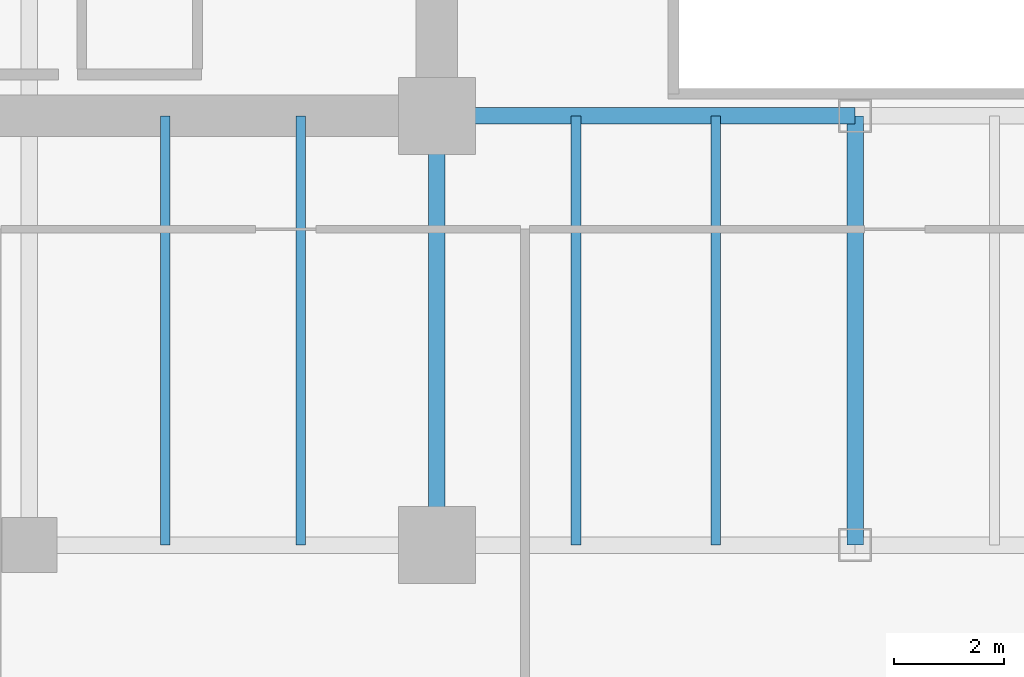
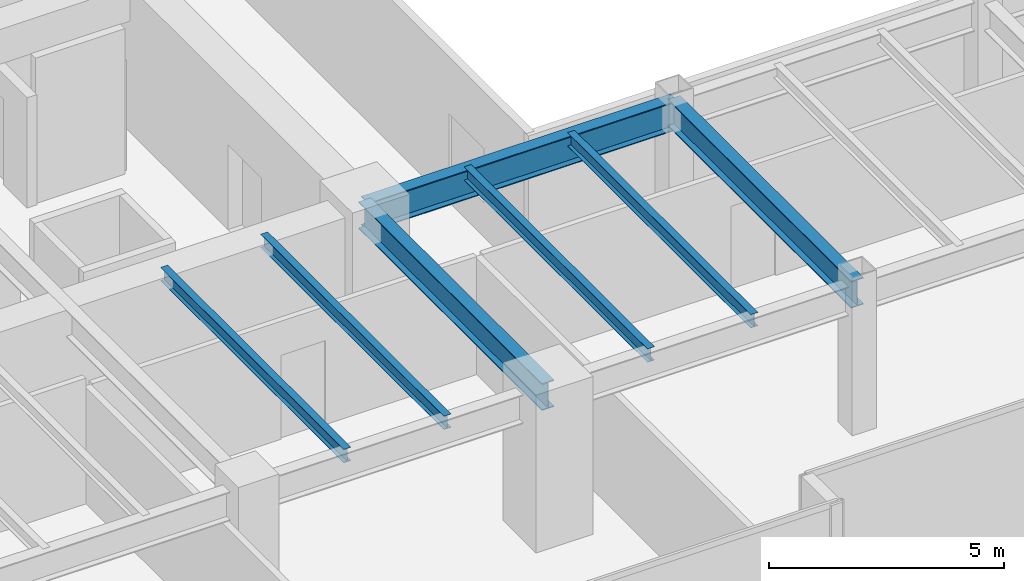
# One storey, part 5 of 35: 7 beams.
"""IFC4 building model written with IfcOpenShell, lengths in metres."""

import ifcopenshell
import ifcopenshell.guid

model = None  # the IFC model being written
_history = None  # IfcOwnerHistory: only IFC2X3 demands one
_inside = {}  # id of a spatial element -> (the spatial element, [elements in it])
_under = {}  # id of a project, library or spatial element -> (it, [spatial elements below it])
_declared = {}  # id of a project -> (the project, [libraries it declares])
_typed = {}  # id of a type object -> (the type object, [elements of that type])
_made_of = {}  # id of a material, layer set ... -> (it, [elements and type objects made of it])


def new_model(schema):
    """Start an empty IFC model of exactly this schema.

    Asked for "IFC4X3", IfcOpenShell would pick the latest addendum, in which some entities
    have other attributes; the version numbers below select the first issue.
    IFC2X3 requires an IfcOwnerHistory on every rooted entity: one is made here for all.
    """
    global model, _history
    if schema == "IFC4X3":
        model = ifcopenshell.file(schema_version=(4, 3, 0, 0))
    else:
        model = ifcopenshell.file(schema=schema)
    _inside.clear()
    _under.clear()
    _declared.clear()
    _typed.clear()
    _made_of.clear()
    _history = None
    if model.schema == "IFC2X3":
        org = make("IfcOrganization", Name="unknown")
        user = make(
            "IfcPersonAndOrganization",
            ThePerson=make("IfcPerson", FamilyName="unknown"),
            TheOrganization=org,
        )
        app = make(
            "IfcApplication",
            ApplicationDeveloper=org,
            Version="unknown",
            ApplicationFullName="unknown",
            ApplicationIdentifier="unknown",
        )
        _history = make(
            "IfcOwnerHistory",
            OwningUser=user,
            OwningApplication=app,
            ChangeAction="ADDED",
            CreationDate=0,
        )
    return model


def make(cls, **values):
    """One entity of the class cls with the attributes given. An attribute that is None is left unset."""
    return model.create_entity(
        cls, **{name: value for name, value in values.items() if value is not None}
    )


def rooted(cls, **values):
    """An entity with a GlobalId (a new one), such as an element, a storey or a relation."""
    return make(cls, GlobalId=ifcopenshell.guid.new(), OwnerHistory=_history, **values)


def si_unit(unit_type, name, prefix=None):
    """IfcSIUnit, for example si_unit("LENGTHUNIT", "METRE", prefix="MILLI")."""
    return make("IfcSIUnit", UnitType=unit_type, Prefix=prefix, Name=name)


def assignment(units):
    """IfcUnitAssignment: the units of a project."""
    return None if units is None else make("IfcUnitAssignment", Units=units)


def point(xyz):
    """IfcCartesianPoint."""
    return None if xyz is None else make("IfcCartesianPoint", Coordinates=xyz)


def direction(xyz):
    """IfcDirection."""
    return None if xyz is None else make("IfcDirection", DirectionRatios=xyz)


def frame(location, z_axis=None, x_axis=None):
    """IfcAxis2Placement3D, a coordinate frame: its origin and axes. An axis left out is left unset."""
    return make(
        "IfcAxis2Placement3D",
        Location=point(location),
        Axis=direction(z_axis),
        RefDirection=direction(x_axis),
    )


def frame_2d(location, x_axis=None):
    """IfcAxis2Placement2D, a coordinate frame in the plane: its origin and x axis."""
    return make(
        "IfcAxis2Placement2D", Location=point(location), RefDirection=direction(x_axis)
    )


def origin():
    """The frame at (0, 0, 0) with its axes left unset."""
    return frame((0.0, 0.0, 0.0))


def origin_2d():
    """The frame at (0, 0) in the plane with its x axis left unset."""
    return frame_2d((0.0, 0.0))


def place(relative_to, where):
    """IfcLocalPlacement: puts the frame where relative to a parent placement (None: the world)."""
    return make(
        "IfcLocalPlacement", PlacementRelTo=relative_to, RelativePlacement=where
    )


def context(
    kind, dimensions, precision=None, world=None, true_north=None, identifier=None
):
    """IfcGeometricRepresentationContext, for example the 3D "Model" context."""
    return make(
        "IfcGeometricRepresentationContext",
        ContextIdentifier=identifier,
        ContextType=kind,
        CoordinateSpaceDimension=dimensions,
        Precision=precision,
        WorldCoordinateSystem=world,
        TrueNorth=true_north,
    )


def subcontext(parent, identifier, kind, view, scale=None):
    """IfcGeometricRepresentationSubContext, for example "Body" below "Model"."""
    return make(
        "IfcGeometricRepresentationSubContext",
        ContextIdentifier=identifier,
        ContextType=kind,
        ParentContext=parent,
        TargetScale=scale,
        TargetView=view,
    )


def project(units=None, contexts=None):
    """IfcProject with its units and contexts."""
    return rooted(
        "IfcProject",
        Name="project",
        RepresentationContexts=contexts,
        UnitsInContext=assignment(units),
    )


def spatial(cls, under=None, at=None, **own):
    """A site, building, storey or space (cls), placed at a placement, below another one or the project."""
    s = rooted(cls, ObjectPlacement=at, **own)
    if under is not None:
        _under.setdefault(under.id(), (under, []))[1].append(s)
    return s


def profile(cls, at=None, kind="AREA", **sizes):
    """A parametric profile (cls). Its sizes go by their IFC names, for example OverallWidth=200.0."""
    return make(cls, ProfileType=kind, Position=at, **sizes)


def i_section(**sizes):
    """IfcIShapeProfileDef."""
    return profile("IfcIShapeProfileDef", **sizes)


def extrude(swept, where, along, depth):
    """IfcExtrudedAreaSolid: the profile swept, set in the frame where, extruded along a direction by depth."""
    return make(
        "IfcExtrudedAreaSolid",
        SweptArea=swept,
        Position=where,
        ExtrudedDirection=direction(along),
        Depth=depth,
    )


def shape(context_of_items, identifier, shape_type, items):
    """IfcShapeRepresentation: the items that make up one representation, for example the "Body"."""
    return make(
        "IfcShapeRepresentation",
        ContextOfItems=context_of_items,
        RepresentationIdentifier=identifier,
        RepresentationType=shape_type,
        Items=items,
    )


def source(mapping_origin, context_of_items, identifier, shape_type, items):
    """IfcRepresentationMap: a shape defined once, which mapped items show again and again."""
    return make(
        "IfcRepresentationMap",
        MappingOrigin=mapping_origin,
        MappedRepresentation=shape(context_of_items, identifier, shape_type, items),
    )


def transform(
    local_origin,
    x_axis=None,
    y_axis=None,
    z_axis=None,
    scale=None,
    scale2=None,
    scale3=None,
    uniform=True,
):
    """IfcCartesianTransformationOperator3D, or its non-uniform kind. x_axis, y_axis, z_axis: its Axis1, 2, 3."""
    if uniform:
        return make(
            "IfcCartesianTransformationOperator3D",
            Axis1=direction(x_axis),
            Axis2=direction(y_axis),
            LocalOrigin=point(local_origin),
            Scale=scale,
            Axis3=direction(z_axis),
        )
    return make(
        "IfcCartesianTransformationOperator3DnonUniform",
        Axis1=direction(x_axis),
        Axis2=direction(y_axis),
        LocalOrigin=point(local_origin),
        Scale=scale,
        Axis3=direction(z_axis),
        Scale2=scale2,
        Scale3=scale3,
    )


def mapped(mapping_source, mapping_target):
    """IfcMappedItem: shows the shape of a source again, moved by a transform."""
    return make(
        "IfcMappedItem", MappingSource=mapping_source, MappingTarget=mapping_target
    )


def material(Name=None, Category=None):
    """IfcMaterial."""
    return make("IfcMaterial", Name=Name, Category=Category)


def material_profile(
    of_material, cross_section, Name=None, Category=None, Priority=None
):
    """IfcMaterialProfile: a cross section and its material."""
    return make(
        "IfcMaterialProfile",
        Name=Name,
        Material=of_material,
        Profile=cross_section,
        Priority=Priority,
        Category=Category,
    )


def profile_set(profiles, Name=None, composite=None):
    """IfcMaterialProfileSet."""
    return make(
        "IfcMaterialProfileSet",
        Name=Name,
        MaterialProfiles=profiles,
        CompositeProfile=composite,
    )


def made_of(thing, what):
    """Note that an element or type object is made of a material, layer set ...; save() writes the relation."""
    if what is not None:
        _made_of.setdefault(what.id(), (what, []))[1].append(thing)
    return thing


def type_object(cls, material=None, **own):
    """A type object (cls), such as IfcWallType, which elements share."""
    return made_of(rooted(cls, **own), material)


def type_shapes(of_type, sources):
    """Give a type object the sources (RepresentationMaps) that its elements show as mapped items."""
    of_type.RepresentationMaps = sources


def element(
    cls,
    number,
    at=None,
    inside=None,
    cuts=None,
    type_object=None,
    material=None,
    context=None,
    identifier="Body",
    shape_type=None,
    held_by="IfcProductDefinitionShape",
    body=None,
    shapes=None,
    **own,
):
    """One element of the class cls, such as IfcWall. Its Tag is "e" and its number.

    at: its placement. inside: the storey or other place that contains it. cuts: it is an
    opening in that element (IfcRelVoidsElement). A single representation is given by context,
    identifier, shape_type and body (its items); several are given by shapes. held_by: the class
    of the entity that holds the representations. save() writes the other relations.
    """
    e = rooted(cls, Tag="e%d" % number, ObjectPlacement=at, **own)
    if body is not None:
        shapes = [shape(context, identifier, shape_type, body)]
    if shapes is not None:
        e.Representation = make(held_by, Representations=shapes)
    if inside is not None:
        _inside.setdefault(inside.id(), (inside, []))[1].append(e)
    if cuts is not None:
        rooted(
            "IfcRelVoidsElement", RelatingBuildingElement=cuts, RelatedOpeningElement=e
        )
    if type_object is not None:
        _typed.setdefault(type_object.id(), (type_object, []))[1].append(e)
    return made_of(e, material)


def aggregate(whole, parts):
    """IfcRelAggregates: a whole, such as a stair, and the parts it consists of."""
    return rooted("IfcRelAggregates", RelatingObject=whole, RelatedObjects=parts)


def save(model, path):
    """Write the relations noted so far, then the file.

    IfcRelAggregates (storeys below a building ...), IfcRelContainedInSpatialStructure (elements
    in a storey), IfcRelDefinesByType, IfcRelAssociatesMaterial and IfcRelDeclares: one each for
    every whole, place, type object, material and project.
    """
    for whole, parts in _under.values():
        aggregate(whole, parts)
    for where, things in _inside.values():
        rooted(
            "IfcRelContainedInSpatialStructure",
            RelatedElements=things,
            RelatingStructure=where,
        )
    for kind, things in _typed.values():
        rooted("IfcRelDefinesByType", RelatedObjects=things, RelatingType=kind)
    for what, things in _made_of.values():
        rooted("IfcRelAssociatesMaterial", RelatedObjects=things, RelatingMaterial=what)
    for by, libraries in _declared.values():
        rooted("IfcRelDeclares", RelatingContext=by, RelatedDefinitions=libraries)
    model.write(path)


model = new_model("IFC4")

# Units and contexts
model_context = context("Model", 3, precision=1e-05, world=origin(), true_north=direction((0.0, 1.0)))
body_context = subcontext(model_context, "Body", "Model", "MODEL_VIEW")
ifc_project = project(units=[si_unit("LENGTHUNIT", "METRE"), si_unit("AREAUNIT", "SQUARE_METRE"), si_unit("VOLUMEUNIT", "CUBIC_METRE"), si_unit("PLANEANGLEUNIT", "RADIAN"), si_unit("MASSUNIT", "GRAM", prefix="KILO")], contexts=[model_context])

# Site, building, storey
site_placement = place(None, origin())
site = spatial("IfcSite", under=ifc_project, at=site_placement, CompositionType="ELEMENT")
building_placement = place(site_placement, origin())
building = spatial("IfcBuilding", under=site, at=building_placement, Name="Haelvirn Gate Laboratories", CompositionType="ELEMENT")
storey_placement = place(building_placement, frame((0.0, 0.0, 41.60009765625)))
storey = spatial("IfcBuildingStorey", under=building, at=storey_placement, Name="L10", CompositionType="ELEMENT", Elevation=41.60009765625)

# Beams
ifc_material = material(Name="Steel SM355", Category="steel")
ifc_material_profile_1 = material_profile(ifc_material, i_section(OverallWidth=0.300048828125, OverallDepth=0.699951171875, WebThickness=0.012939453125, FlangeThickness=0.02392578125, at=origin_2d()), Name="H-700x300x13x24")
ifc_profile_set_1 = profile_set([ifc_material_profile_1], Name="Steel SM355")
beam_type_1 = type_object("IfcBeamType", Name="BM-G-700", PredefinedType="BEAM", material=ifc_profile_set_1)
shared_shape_1 = source(origin(), body_context, "Body", "SweptSolid", [
    extrude(i_section(OverallWidth=0.300048828125, OverallDepth=0.699951171875, WebThickness=0.012939453125, FlangeThickness=0.02392578125, at=origin_2d()), origin(), (0.0, 0.0, 1.0), 7.800048828125),
])
type_shapes(beam_type_1, [shared_shape_1])
for number, where, z_axis, x_axis, name in (
    (1, (22.199951171875, 7.0, 3.429931640625), (0.0, 1.0, 0.0), (-1.0, 0.0, 0.0), "L10 Frame Girder X22.2 (7.0-14.8)"),
    (2, (29.800048828125, 7.0, 3.429931640625), (0.0, 1.0, 0.0), (-1.0, 0.0, 0.0), "L10 Frame Girder X29.8 (7.0-14.8)"),
):
    element("IfcBeam", number, at=place(storey_placement, frame(where, z_axis=z_axis, x_axis=x_axis)), inside=storey, type_object=beam_type_1, Name=name, PredefinedType="BEAM", context=body_context, shape_type="MappedRepresentation", body=[
        mapped(shared_shape_1, transform((0.0, 0.0, 0.0), scale=1.0)),
    ])
ifc_material_profile_2 = material_profile(ifc_material, i_section(OverallWidth=0.300048828125, OverallDepth=0.75, WebThickness=0.013916015625, FlangeThickness=0.02392578125, at=origin_2d()), Name="H-750x300x14x24")
ifc_profile_set_2 = profile_set([ifc_material_profile_2], Name="Steel SM355")
beam_type_2 = type_object("IfcBeamType", Name="BM-G-750", PredefinedType="BEAM", material=ifc_profile_set_2)
shared_shape_2 = source(origin(), body_context, "Body", "SweptSolid", [
    extrude(i_section(OverallWidth=0.300048828125, OverallDepth=0.75, WebThickness=0.013916015625, FlangeThickness=0.02392578125, at=origin_2d()), origin(), (0.0, 0.0, 1.0), 7.60009765625),
])
type_shapes(beam_type_2, [shared_shape_2])
beam_placement = place(storey_placement, frame((22.199951171875, 14.800048828125, 3.40478515625), z_axis=(1.0, 0.0, 0.0), x_axis=(0.0, 1.0, 0.0)))
element("IfcBeam", 3, at=beam_placement, inside=storey, type_object=beam_type_2, Name="L10 Primary Girder Y14.8 (22.2-29.8)", PredefinedType="BEAM", context=body_context, shape_type="MappedRepresentation", body=[
    mapped(shared_shape_2, transform((0.0, 0.0, 0.0), scale=1.0)),
])
ifc_material_profile_3 = material_profile(ifc_material, i_section(OverallWidth=0.175048828125, OverallDepth=0.35009765625, WebThickness=0.007080078125, FlangeThickness=0.010986328125, at=origin_2d()), Name="H-350x175x7x11")
ifc_profile_set_3 = profile_set([ifc_material_profile_3], Name="Steel SM355")
beam_type_3 = type_object("IfcBeamType", Name="BM-J-350", PredefinedType="JOIST", material=ifc_profile_set_3)
shared_shape_3 = source(origin(), body_context, "Body", "SweptSolid", [
    extrude(i_section(OverallWidth=0.175048828125, OverallDepth=0.35009765625, WebThickness=0.007080078125, FlangeThickness=0.010986328125, at=origin_2d()), origin(), (0.0, 0.0, 1.0), 7.800048828125),
])
type_shapes(beam_type_3, [shared_shape_3])
for number, where, z_axis, x_axis, name in (
    (4, (17.27001953125, 7.0, 3.60498046875), (0.0, 1.0, 0.0), (-1.0, 0.0, 0.0), "L10 Composite Lab Joist South X17.27"),
    (5, (19.72998046875, 7.0, 3.60498046875), (0.0, 1.0, 0.0), (-1.0, 0.0, 0.0), "L10 Composite Lab Joist South X19.73"),
    (6, (24.72998046875, 7.0, 3.60498046875), (0.0, 1.0, 0.0), (-1.0, 0.0, 0.0), "L10 Composite Lab Joist South X24.73"),
    (7, (27.27001953125, 7.0, 3.60498046875), (0.0, 1.0, 0.0), (-1.0, 0.0, 0.0), "L10 Composite Lab Joist South X27.27"),
):
    element("IfcBeam", number, at=place(storey_placement, frame(where, z_axis=z_axis, x_axis=x_axis)), inside=storey, type_object=beam_type_3, Name=name, PredefinedType="JOIST", context=body_context, shape_type="MappedRepresentation", body=[
        mapped(shared_shape_3, transform((0.0, 0.0, 0.0), scale=1.0)),
    ])

save(model, "model.ifc")
